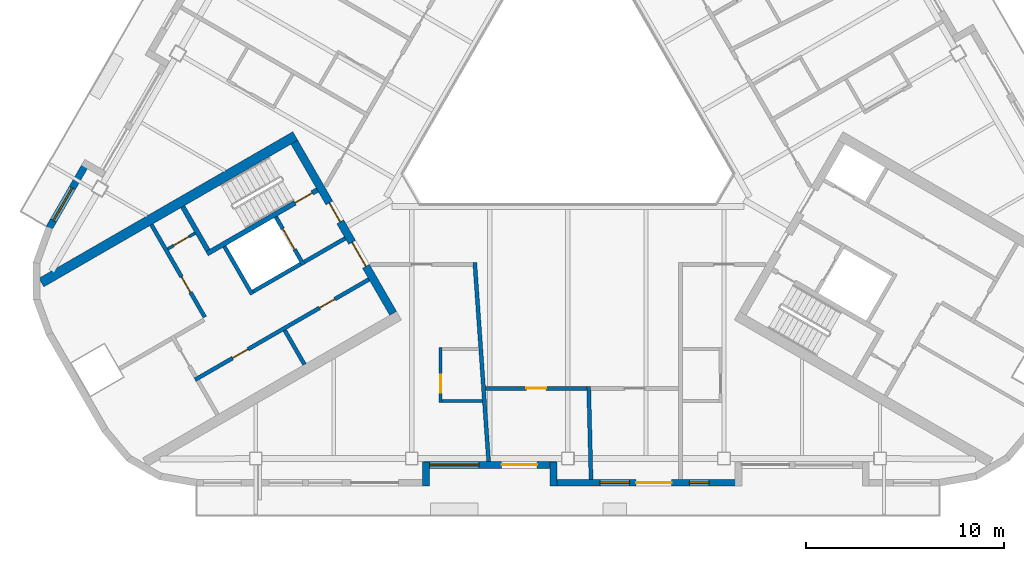
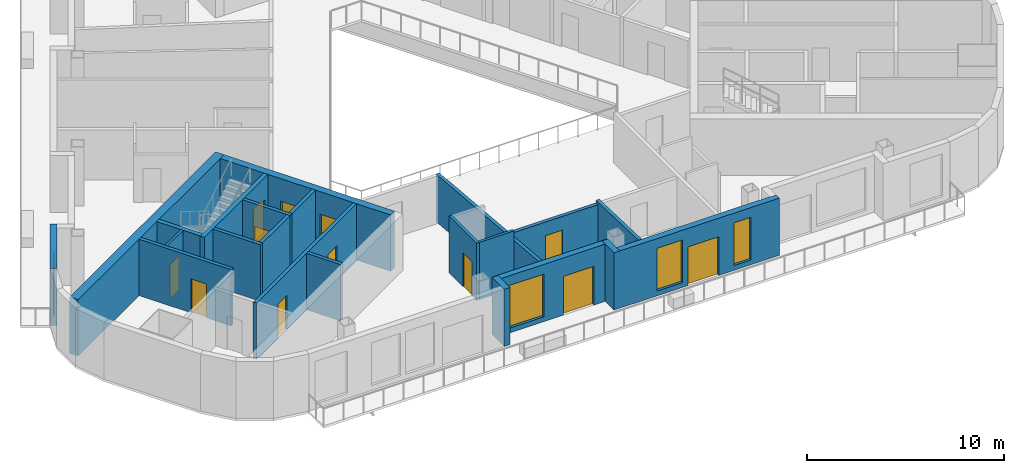
# One storey, part 3 of 14: 22 walls, 12 doors, 4 windows, 16 openings.
"""IFC4 building model written with IfcOpenShell, lengths in metres."""

from ifc_helpers import new_model, si_unit, direction, frame, frame_2d, origin, place, context, subcontext, project, spatial, rectangle, extrude, material, layer, layer_set, type_object, element, fill, save


model = new_model("IFC4")

# Units and contexts
model_context = context("Model", 3, precision=1e-05, world=origin(), true_north=direction((0.0, 1.0)))
body_context = subcontext(model_context, "Body", "Model", "MODEL_VIEW")
ifc_project = project(units=[si_unit("LENGTHUNIT", "METRE"), si_unit("AREAUNIT", "SQUARE_METRE"), si_unit("VOLUMEUNIT", "CUBIC_METRE"), si_unit("PLANEANGLEUNIT", "RADIAN"), si_unit("MASSUNIT", "GRAM", prefix="KILO")], contexts=[model_context])

# Site, building, storey
site_placement = place(None, origin())
site = spatial("IfcSite", under=ifc_project, at=site_placement, CompositionType="ELEMENT")
building_placement = place(site_placement, origin())
building = spatial("IfcBuilding", under=site, at=building_placement, Name="Apuvela Tower Hotel", CompositionType="ELEMENT")
storey_placement = place(building_placement, frame((0.0, 0.0, 250.39990234375)))
storey = spatial("IfcBuildingStorey", under=building, at=storey_placement, Name="L61", CompositionType="ELEMENT", Elevation=250.39990234375)

# Wall, openings, doors
ifc_material_1 = material(Name="Concrete C50/60", Category="concrete")
ifc_layer_1 = layer(ifc_material_1, 0.39990234375)
ifc_layer_set_1 = layer_set([ifc_layer_1], Name="COR-WALL-CORE-400")
wall_type_1 = type_object("IfcWallType", Name="COR-WALL-CORE-400", PredefinedType="SHEAR", material=ifc_layer_set_1)
wall_1_placement = place(storey_placement, frame((-13.844970703125, -2.219970703125, 0.0), z_axis=(0.0, 0.0, 1.0), x_axis=(0.500004234368, -0.866022959057, 0.0)))
wall_1 = element("IfcWall", 1, at=wall_1_placement, inside=storey, type_object=wall_type_1, Name="Core wall SW", PredefinedType="SHEAR", context=body_context, shape_type="SweptSolid", body=[
    extrude(rectangle(XDim=10.0, YDim=0.39990234375, at=frame_2d((5.0, 0.0))), origin(), (0.0, 0.0, 1.0), 3.5),
])
opening_1_placement = place(wall_1_placement, frame((3.550048828125, 0.0, 0.0)))
opening_1 = element("IfcOpeningElement", 2, at=opening_1_placement, cuts=wall_1, Name="Opening W-FD", PredefinedType="OPENING", context=body_context, shape_type="SweptSolid", body=[
    extrude(rectangle(XDim=1.10009765625, YDim=2.10009765625, at=frame_2d((0.550048828125, 1.050048828125))), frame((0.0, 0.2099609375, 0.0), z_axis=(0.0, -1.0, 0.0), x_axis=(1.0, 0.0, 0.0)), (0.0, 0.0, 1.0), 0.419921875),
])
opening_2_placement = place(wall_1_placement, frame((5.85009765625, 0.0, 0.0)))
opening_2 = element("IfcOpeningElement", 3, at=opening_2_placement, cuts=wall_1, Name="Opening W-GD", PredefinedType="OPENING", context=body_context, shape_type="SweptSolid", body=[
    extrude(rectangle(XDim=1.39990234375, YDim=2.10009765625, at=frame_2d((0.699951171875, 1.050048828125))), frame((0.0, 0.2099609375, 0.0), z_axis=(0.0, -1.0, 0.0), x_axis=(1.0, 0.0, 0.0)), (0.0, 0.0, 1.0), 0.419921875),
])
ifc_material_2 = material(Name="Steel fire door, powder coated", Category="steel")
door_type_1 = type_object("IfcDoorType", Name="COR-FD-1100", OperationType="NOTDEFINED", PredefinedType="DOOR", material=ifc_material_2)
door_1_placement = place(opening_1_placement, frame((1.10009765625, 0.0, 0.0), z_axis=(0.0, 0.0, 1.0), x_axis=(-1.0, 0.0, 0.0)))
door_1 = element("IfcDoor", 4, at=door_1_placement, inside=storey, type_object=door_type_1, Name="Firefighting lobby door W-FD", OperationType="SINGLE_SWING_LEFT", OverallHeight=2.10009765625, OverallWidth=1.10009765625, PredefinedType="DOOR", context=body_context, shape_type="SweptSolid", body=[
    extrude(rectangle(XDim=1.10009765625, YDim=2.10009765625, at=frame_2d((0.550048828125, 1.050048828125))), frame((0.0, 0.02490234375, 0.0), z_axis=(0.0, -1.0, 0.0), x_axis=(1.0, 0.0, 0.0)), (0.0, 0.0, 1.0), 0.050048828125),
])
fill(opening_1, door_1)
ifc_material_3 = material(Name="Glazed steel fire door", Category="steel")
door_type_2 = type_object("IfcDoorType", Name="COR-GD-1400", OperationType="DOUBLE_DOOR_SINGLE_SWING", PredefinedType="DOOR", material=ifc_material_3)
door_2_placement = place(opening_2_placement, frame((1.39990234375, 0.0, 0.0), z_axis=(0.0, 0.0, 1.0), x_axis=(-1.0, 0.0, 0.0)))
door_2 = element("IfcDoor", 5, at=door_2_placement, inside=storey, type_object=door_type_2, Name="Lift lobby door W-GD", OperationType="DOUBLE_DOOR_SINGLE_SWING", OverallHeight=2.10009765625, OverallWidth=1.39990234375, PredefinedType="DOOR", context=body_context, shape_type="SweptSolid", body=[
    extrude(rectangle(XDim=1.39990234375, YDim=2.10009765625, at=frame_2d((0.699951171875, 1.050048828125))), frame((0.0, 0.02490234375, 0.0), z_axis=(0.0, -1.0, 0.0), x_axis=(1.0, 0.0, 0.0)), (0.0, 0.0, 1.0), 0.050048828125),
])
fill(opening_2, door_2)

# Wall
ifc_layer_2 = layer(ifc_material_1, 0.5)
ifc_layer_set_2 = layer_set([ifc_layer_2], Name="COR-WALL-CORE-500")
wall_type_2 = type_object("IfcWallType", Name="COR-WALL-CORE-500", PredefinedType="SHEAR", material=ifc_layer_set_2)
wall_2_placement = place(storey_placement, frame((-13.796630859375, -1.9033203125, 0.0), z_axis=(0.0, 0.0, 1.0), x_axis=(-0.866025009528, -0.500000682871, 0.0)))
element("IfcWall", 6, at=wall_2_placement, inside=storey, type_object=wall_type_2, Name="Core wall SW", PredefinedType="SHEAR", context=body_context, shape_type="SweptSolid", body=[
    extrude(rectangle(XDim=14.8369140625, YDim=0.5, at=frame_2d((7.41845703125, 0.0))), origin(), (0.0, 0.0, 1.0), 3.5),
])

# Wall, opening, door
ifc_material_4 = material(Name="Blockwork 150 mm plastered", Category="masonry")
ifc_layer_3 = layer(ifc_material_4, 0.14990234375)
ifc_layer_set_3 = layer_set([ifc_layer_3], Name="COR-WALL-PART-150")
wall_type_3 = type_object("IfcWallType", Name="COR-WALL-PART-150", PredefinedType="PARTITIONING", material=ifc_layer_set_3)
wall_3_placement = place(storey_placement, frame((-18.866455078125, -6.822265625, 0.0), z_axis=(0.0, 0.0, 1.0), x_axis=(-0.866028054938, -0.499995408039, 0.0)))
wall_3 = element("IfcWall", 7, at=wall_3_placement, inside=storey, type_object=wall_type_3, Name="Partition SW", PredefinedType="PARTITIONING", context=body_context, shape_type="SweptSolid", body=[
    extrude(rectangle(XDim=1.60009765625, YDim=0.14990234375, at=frame_2d((0.800048828125, 0.0))), origin(), (0.0, 0.0, 1.0), 3.5),
])
opening_3_placement = place(wall_3_placement, frame((0.35009765625, 0.0, 0.0)))
opening_3 = element("IfcOpeningElement", 8, at=opening_3_placement, cuts=wall_3, Name="Opening W-RD", PredefinedType="OPENING", context=body_context, shape_type="SweptSolid", body=[
    extrude(rectangle(XDim=0.89990234375, YDim=2.10009765625, at=frame_2d((0.449951171875, 1.050048828125))), frame((0.0, 0.0849609375, 0.0), z_axis=(0.0, -1.0, 0.0), x_axis=(1.0, 0.0, 0.0)), (0.0, 0.0, 1.0), 0.169921875),
])
ifc_material_5 = material(Name="Steel access door, powder coated", Category="steel")
door_type_3 = type_object("IfcDoorType", Name="COR-RD-900", OperationType="NOTDEFINED", PredefinedType="DOOR", material=ifc_material_5)
door_3_placement = place(opening_3_placement, frame((0.89990234375, 0.0, 0.0), z_axis=(0.0, 0.0, 1.0), x_axis=(-1.0, 0.0, 0.0)))
door_3 = element("IfcDoor", 9, at=door_3_placement, inside=storey, type_object=door_type_3, Name="Riser door W-RD", OperationType="SINGLE_SWING_RIGHT", OverallHeight=2.10009765625, OverallWidth=0.89990234375, PredefinedType="DOOR", context=body_context, shape_type="SweptSolid", body=[
    extrude(rectangle(XDim=0.89990234375, YDim=2.10009765625, at=frame_2d((0.449951171875, 1.050048828125))), frame((0.0, 0.02490234375, 0.0), z_axis=(0.0, -1.0, 0.0), x_axis=(1.0, 0.0, 0.0)), (0.0, 0.0, 1.0), 0.050048828125),
])
fill(opening_3, door_3)

ifc_material_6 = material(Name="Blockwork 200 mm plastered", Category="masonry")
ifc_layer_4 = layer(ifc_material_6, 0.199951171875)
ifc_layer_set_4 = layer_set([ifc_layer_4], Name="COR-WALL-PART-200")
wall_type_4 = type_object("IfcWallType", Name="COR-WALL-PART-200", PredefinedType="PARTITIONING", material=ifc_layer_set_4)
wall_4_placement = place(storey_placement, frame((-21.076171875, -6.39501953125, 0.0), z_axis=(0.0, 0.0, 1.0), x_axis=(0.50001468107, -0.866016927499, 0.0)))
wall_4 = element("IfcWall", 10, at=wall_4_placement, inside=storey, type_object=wall_type_4, Name="Partition SW", PredefinedType="PARTITIONING", context=body_context, shape_type="SweptSolid", body=[
    extrude(rectangle(XDim=5.399658203125, YDim=0.199951171875, at=frame_2d((2.69970703125, 0.0))), origin(), (0.0, 0.0, 1.0), 3.5),
])
opening_4_placement = place(wall_4_placement, frame((3.050048828125, 0.0, 0.0)))
opening_4 = element("IfcOpeningElement", 11, at=opening_4_placement, cuts=wall_4, Name="Opening W-RS1", PredefinedType="OPENING", context=body_context, shape_type="SweptSolid", body=[
    extrude(rectangle(XDim=0.89990234375, YDim=2.10009765625, at=frame_2d((0.449951171875, 1.050048828125))), frame((0.0, 0.10986328125, 0.0), z_axis=(0.0, -1.0, 0.0), x_axis=(1.0, 0.0, 0.0)), (0.0, 0.0, 1.0), 0.219970703125),
])
door_type_4 = type_object("IfcDoorType", Name="COR-DR-900", OperationType="NOTDEFINED", PredefinedType="DOOR", material=ifc_material_2)
door_4_placement = place(opening_4_placement, frame((0.89990234375, 0.0, 0.0), z_axis=(0.0, 0.0, 1.0), x_axis=(-1.0, 0.0, 0.0)))
door_4 = element("IfcDoor", 12, at=door_4_placement, inside=storey, type_object=door_type_4, Name="Store door W-RS1", OperationType="SINGLE_SWING_LEFT", OverallHeight=2.10009765625, OverallWidth=0.89990234375, PredefinedType="DOOR", context=body_context, shape_type="SweptSolid", body=[
    extrude(rectangle(XDim=0.89990234375, YDim=2.10009765625, at=frame_2d((0.449951171875, 1.050048828125))), frame((0.0, 0.02490234375, 0.0), z_axis=(0.0, -1.0, 0.0), x_axis=(1.0, 0.0, 0.0)), (0.0, 0.0, 1.0), 0.050048828125),
])
fill(opening_4, door_4)

# Wall
ifc_layer_5 = layer(ifc_material_1, 0.199951171875)
ifc_layer_set_5 = layer_set([ifc_layer_5], Name="COR-WALL-SHAFT-200")
wall_type_5 = type_object("IfcWallType", Name="COR-WALL-SHAFT-200", PredefinedType="SHEAR", material=ifc_layer_set_5)
wall_5_placement = place(storey_placement, frame((-17.38134765625, -7.49462890625, 0.0), z_axis=(0.0, 0.0, 1.0), x_axis=(0.500011755427, -0.866018616679, 0.0)))
element("IfcWall", 13, at=wall_5_placement, inside=storey, type_object=wall_type_5, Name="Shaft wall SW", PredefinedType="SHEAR", context=body_context, shape_type="SweptSolid", body=[
    extrude(rectangle(XDim=2.80029296875, YDim=0.199951171875, at=frame_2d((1.400146484375, 0.0))), origin(), (0.0, 0.0, 1.0), 3.5),
])

# Wall, opening, door
wall_6_placement = place(storey_placement, frame((-14.783203125, -5.99462890625, 0.0), z_axis=(0.0, 0.0, 1.0), x_axis=(0.49994636267, -0.866056369097, 0.0)))
wall_6 = element("IfcWall", 14, at=wall_6_placement, inside=storey, type_object=wall_type_5, Name="Shaft wall SW", PredefinedType="SHEAR", context=body_context, shape_type="SweptSolid", body=[
    extrude(rectangle(XDim=2.800048828125, YDim=0.199951171875, at=frame_2d((1.39990234375, 0.0))), origin(), (0.0, 0.0, 1.0), 3.5),
])
opening_5_placement = place(wall_6_placement, frame((0.699951171875, 0.0, 0.0)))
opening_5 = element("IfcOpeningElement", 15, at=opening_5_placement, cuts=wall_6, Name="Opening W-LD-FS2", PredefinedType="OPENING", context=body_context, shape_type="SweptSolid", body=[
    extrude(rectangle(XDim=1.199951171875, YDim=2.10009765625, at=frame_2d((0.60009765625, 1.050048828125))), frame((0.0, 0.10986328125, 0.0), z_axis=(0.0, -1.0, 0.0), x_axis=(1.0, 0.0, 0.0)), (0.0, 0.0, 1.0), 0.219970703125),
])
ifc_material_7 = material(Name="Stainless steel lift landing door", Category="steel")
door_type_5 = type_object("IfcDoorType", Name="COR-LD-1200", OperationType="DOUBLE_DOOR_SLIDING", PredefinedType="DOOR", material=ifc_material_7)
door_5_placement = place(opening_5_placement, origin())
door_5 = element("IfcDoor", 16, at=door_5_placement, inside=storey, type_object=door_type_5, Name="Lift landing door W-LD-FS2", OperationType="DOUBLE_DOOR_SLIDING", OverallHeight=2.10009765625, OverallWidth=1.199951171875, PredefinedType="DOOR", context=body_context, shape_type="SweptSolid", body=[
    extrude(rectangle(XDim=1.199951171875, YDim=2.10009765625, at=frame_2d((0.60009765625, 1.050048828125))), frame((0.0, 0.02490234375, 0.0), z_axis=(0.0, -1.0, 0.0), x_axis=(1.0, 0.0, 0.0)), (0.0, 0.0, 1.0), 0.050048828125),
])
fill(opening_5, door_5)

# Walls
wall_7_placement = place(storey_placement, frame((-13.519775390625, -8.383056640625, 0.0), z_axis=(0.0, 0.0, 1.0), x_axis=(-0.866034573852, -0.49998411664, 0.0)))
element("IfcWall", 17, at=wall_7_placement, inside=storey, type_object=wall_type_5, Name="Shaft wall SW", PredefinedType="SHEAR", context=body_context, shape_type="SweptSolid", body=[
    extrude(rectangle(XDim=2.7998046875, YDim=0.199951171875, at=frame_2d((1.39990234375, 0.0))), origin(), (0.0, 0.0, 1.0), 3.5),
])
wall_8_placement = place(storey_placement, frame((-11.26806640625, -7.0830078125, 0.0), z_axis=(0.0, 0.0, 1.0), x_axis=(-0.866050077142, -0.499957262057, 0.0)))
element("IfcWall", 18, at=wall_8_placement, inside=storey, type_object=wall_type_5, Name="Shaft wall SW", PredefinedType="SHEAR", context=body_context, shape_type="SweptSolid", body=[
    extrude(rectangle(XDim=2.400146484375, YDim=0.199951171875, at=frame_2d((1.2001953125, 0.0))), origin(), (0.0, 0.0, 1.0), 3.5),
])

# Wall, openings, doors
wall_9_placement = place(storey_placement, frame((-10.068115234375, -9.16162109375, 0.0), z_axis=(0.0, 0.0, 1.0), x_axis=(-0.866032725843, -0.499987317609, 0.0)))
wall_9 = element("IfcWall", 19, at=wall_9_placement, inside=storey, type_object=wall_type_5, Name="Shaft wall SW", PredefinedType="SHEAR", context=body_context, shape_type="SweptSolid", body=[
    extrude(rectangle(XDim=10.159912109375, YDim=0.199951171875, at=frame_2d((5.080078125, 0.0))), origin(), (0.0, 0.0, 1.0), 3.5),
])
opening_6_placement = place(wall_9_placement, frame((1.989990234375, 0.0, 0.0)))
opening_6 = element("IfcOpeningElement", 20, at=opening_6_placement, cuts=wall_9, Name="Opening W-RE1", PredefinedType="OPENING", context=body_context, shape_type="SweptSolid", body=[
    extrude(rectangle(XDim=0.89990234375, YDim=2.10009765625, at=frame_2d((0.449951171875, 1.050048828125))), frame((0.0, 0.10986328125, 0.0), z_axis=(0.0, -1.0, 0.0), x_axis=(1.0, 0.0, 0.0)), (0.0, 0.0, 1.0), 0.219970703125),
])
opening_7_placement = place(wall_9_placement, frame((7.070068359375, 0.0, 0.0)))
opening_7 = element("IfcOpeningElement", 21, at=opening_7_placement, cuts=wall_9, Name="Opening W-RE3", PredefinedType="OPENING", context=body_context, shape_type="SweptSolid", body=[
    extrude(rectangle(XDim=0.89990234375, YDim=2.10009765625, at=frame_2d((0.449951171875, 1.050048828125))), frame((0.0, 0.10986328125, 0.0), z_axis=(0.0, -1.0, 0.0), x_axis=(1.0, 0.0, 0.0)), (0.0, 0.0, 1.0), 0.219970703125),
])
door_6_placement = place(opening_6_placement, origin())
door_6 = element("IfcDoor", 22, at=door_6_placement, inside=storey, type_object=door_type_4, Name="Store door W-RE1", OperationType="SINGLE_SWING_LEFT", OverallHeight=2.10009765625, OverallWidth=0.89990234375, PredefinedType="DOOR", context=body_context, shape_type="SweptSolid", body=[
    extrude(rectangle(XDim=0.89990234375, YDim=2.10009765625, at=frame_2d((0.449951171875, 1.050048828125))), frame((0.0, 0.02490234375, 0.0), z_axis=(0.0, -1.0, 0.0), x_axis=(1.0, 0.0, 0.0)), (0.0, 0.0, 1.0), 0.050048828125),
])
fill(opening_6, door_6)
door_7_placement = place(opening_7_placement, origin())
door_7 = element("IfcDoor", 23, at=door_7_placement, inside=storey, type_object=door_type_4, Name="Store door W-RE3", OperationType="SINGLE_SWING_LEFT", OverallHeight=2.10009765625, OverallWidth=0.89990234375, PredefinedType="DOOR", context=body_context, shape_type="SweptSolid", body=[
    extrude(rectangle(XDim=0.89990234375, YDim=2.10009765625, at=frame_2d((0.449951171875, 1.050048828125))), frame((0.0, 0.02490234375, 0.0), z_axis=(0.0, -1.0, 0.0), x_axis=(1.0, 0.0, 0.0)), (0.0, 0.0, 1.0), 0.050048828125),
])
fill(opening_7, door_7)

# Wall
wall_10_placement = place(storey_placement, frame((-14.330810546875, -11.738037109375, 0.0), z_axis=(0.0, 0.0, 1.0), x_axis=(0.499972520799, -0.866041268327, 0.0)))
element("IfcWall", 24, at=wall_10_placement, inside=storey, type_object=wall_type_5, Name="Shaft wall SW", PredefinedType="SHEAR", context=body_context, shape_type="SweptSolid", body=[
    extrude(rectangle(XDim=2.0, YDim=0.199951171875, at=frame_2d((1.0, 0.0))), origin(), (0.0, 0.0, 1.0), 3.5),
])

# Wall, opening, door
ifc_layer_6 = layer(ifc_material_1, 0.25)
ifc_layer_set_6 = layer_set([ifc_layer_6], Name="COR-WALL-STAIR-250")
wall_type_6 = type_object("IfcWallType", Name="COR-WALL-STAIR-250", PredefinedType="SHEAR", material=ifc_layer_set_6)
wall_11_placement = place(storey_placement, frame((-12.6806640625, -4.636474609375, 0.0), z_axis=(0.0, 0.0, 1.0), x_axis=(-0.866021702275, -0.500006411147, 0.0)))
wall_11 = element("IfcWall", 25, at=wall_11_placement, inside=storey, type_object=wall_type_6, Name="Stair wall SW", PredefinedType="SHEAR", context=body_context, shape_type="SweptSolid", body=[
    extrude(rectangle(XDim=6.4501953125, YDim=0.25, at=frame_2d((3.22509765625, 0.0))), origin(), (0.0, 0.0, 1.0), 3.5),
])
opening_8_placement = place(wall_11_placement, frame((0.300048828125, 0.0, 0.0)))
opening_8 = element("IfcOpeningElement", 26, at=opening_8_placement, cuts=wall_11, Name="Opening W-SD", PredefinedType="OPENING", context=body_context, shape_type="SweptSolid", body=[
    extrude(rectangle(XDim=1.0, YDim=2.10009765625, at=frame_2d((0.5, 1.050048828125))), frame((0.0, 0.135009765625, 0.0), z_axis=(0.0, -1.0, 0.0), x_axis=(1.0, 0.0, 0.0)), (0.0, 0.0, 1.0), 0.27001953125),
])
door_type_6 = type_object("IfcDoorType", Name="COR-SD-1000", OperationType="NOTDEFINED", PredefinedType="DOOR", material=ifc_material_2)
door_8_placement = place(opening_8_placement, frame((1.0, 0.0, 0.0), z_axis=(0.0, 0.0, 1.0), x_axis=(-1.0, 0.0, 0.0)))
door_8 = element("IfcDoor", 27, at=door_8_placement, inside=storey, type_object=door_type_6, Name="Stair door W-SD", OperationType="SINGLE_SWING_LEFT", OverallHeight=2.10009765625, OverallWidth=1.0, PredefinedType="DOOR", context=body_context, shape_type="SweptSolid", body=[
    extrude(rectangle(XDim=1.0, YDim=2.10009765625, at=frame_2d((0.5, 1.050048828125))), frame((0.0, 0.02490234375, 0.0), z_axis=(0.0, -1.0, 0.0), x_axis=(1.0, 0.0, 0.0)), (0.0, 0.0, 1.0), 0.050048828125),
])
fill(opening_8, door_8)

# Wall
wall_12_placement = place(storey_placement, frame((-19.49560546875, -5.482421875, 0.0), z_axis=(0.0, 0.0, 1.0), x_axis=(0.499990435942, -0.866030925526, 0.0)))
element("IfcWall", 28, at=wall_12_placement, inside=storey, type_object=wall_type_6, Name="Stair wall SW", PredefinedType="SHEAR", context=body_context, shape_type="SweptSolid", body=[
    extrude(rectangle(XDim=2.5498046875, YDim=0.25, at=frame_2d((1.27490234375, 0.0))), origin(), (0.0, 0.0, 1.0), 3.5),
])

# Wall, opening, window
ifc_material_8 = material(Name="Concrete C40/50, dark pigmented precast panel", Category="concrete")
ifc_layer_7 = layer(ifc_material_8, 0.35009765625)
ifc_layer_set_7 = layer_set([ifc_layer_7], Name="ENV-WALL-350")
wall_type_7 = type_object("IfcWallType", Name="ENV-WALL-350", PredefinedType="SOLIDWALL", material=ifc_layer_set_7)
wall_13_placement = place(storey_placement, frame((-24.298583984375, -3.17626953125, 0.0), z_axis=(0.0, 0.0, 1.0), x_axis=(-0.500028278809, -0.866009076391, 0.0)))
wall_13 = element("IfcWall", 29, at=wall_13_placement, inside=storey, type_object=wall_type_7, Name="External wall L61-09", PredefinedType="SOLIDWALL", context=body_context, shape_type="SweptSolid", body=[
    extrude(rectangle(XDim=3.915771484375, YDim=0.35009765625, at=frame_2d((1.9580078125, 0.0))), origin(), (0.0, 0.0, 1.0), 3.550048828125),
])
opening_9_placement = place(wall_13_placement, frame((1.574951171875, 0.0, 0.300048828125)))
opening_9 = element("IfcOpeningElement", 30, at=opening_9_placement, cuts=wall_13, Name="Opening WN19", PredefinedType="OPENING", context=body_context, shape_type="SweptSolid", body=[
    extrude(rectangle(XDim=1.89990234375, YDim=2.64990234375, at=frame_2d((0.949951171875, 1.324951171875))), frame((0.0, 0.18505859375, 0.0), z_axis=(0.0, -1.0, 0.0), x_axis=(1.0, 0.0, 0.0)), (0.0, 0.0, 1.0), 0.3701171875),
])
ifc_material_9 = material(Name="Glass, dark tinted laminated insulated glazing unit", Category="glass")
window_type_1 = type_object("IfcWindowType", Name="ENV-WIN-1900x2650", PartitioningType="SINGLE_PANEL", PredefinedType="WINDOW", material=ifc_material_9)
window_1_placement = place(opening_9_placement, origin())
window_1 = element("IfcWindow", 31, at=window_1_placement, inside=storey, type_object=window_type_1, Name="Window WN19", OverallHeight=2.64990234375, OverallWidth=1.89990234375, PartitioningType="SINGLE_PANEL", PredefinedType="WINDOW", context=body_context, shape_type="SweptSolid", body=[
    extrude(rectangle(XDim=1.89990234375, YDim=2.64990234375, at=frame_2d((0.949951171875, 1.324951171875))), frame((0.0, 0.030029296875, 0.0), z_axis=(0.0, -1.0, 0.0), x_axis=(1.0, 0.0, 0.0)), (0.0, 0.0, 1.0), 0.06005859375),
])
fill(opening_9, window_1)

# Wall
wall_14_placement = place(storey_placement, frame((-7.175048828125, -19.6298828125, 0.0), z_axis=(0.0, 0.0, 1.0), x_axis=(0.0, 1.0, 0.0)))
element("IfcWall", 32, at=wall_14_placement, inside=storey, type_object=wall_type_7, Name="External wall L61-18", PredefinedType="SOLIDWALL", context=body_context, shape_type="SweptSolid", body=[
    extrude(rectangle(XDim=1.219970703125, YDim=0.35009765625, at=frame_2d((0.60986328125, 0.0))), origin(), (0.0, 0.0, 1.0), 3.550048828125),
])

# Wall, openings, door, window
wall_15_placement = place(storey_placement, frame((-7.320068359375, -18.554931640625, 0.0), z_axis=(0.0, 0.0, 1.0), x_axis=(1.0, 0.0, 0.0)))
wall_15 = element("IfcWall", 33, at=wall_15_placement, inside=storey, type_object=wall_type_7, Name="External wall L61-19", PredefinedType="SOLIDWALL", context=body_context, shape_type="SweptSolid", body=[
    extrude(rectangle(XDim=6.739990234375, YDim=0.35009765625, at=frame_2d((3.3701171875, 0.0))), origin(), (0.0, 0.0, 1.0), 3.550048828125),
])
opening_10_placement = place(wall_15_placement, frame((0.3203125, 0.0, 0.300048828125)))
opening_10 = element("IfcOpeningElement", 34, at=opening_10_placement, cuts=wall_15, Name="Opening WN25", PredefinedType="OPENING", context=body_context, shape_type="SweptSolid", body=[
    extrude(rectangle(XDim=2.5, YDim=2.64990234375, at=frame_2d((1.25, 1.324951171875))), frame((0.0, 0.18505859375, 0.0), z_axis=(0.0, -1.0, 0.0), x_axis=(1.0, 0.0, 0.0)), (0.0, 0.0, 1.0), 0.3701171875),
])
opening_11_placement = place(wall_15_placement, frame((3.96337890625, 0.0, 0.0)))
opening_11 = element("IfcOpeningElement", 35, at=opening_11_placement, cuts=wall_15, Name="Opening BD18", PredefinedType="OPENING", context=body_context, shape_type="SweptSolid", body=[
    extrude(rectangle(XDim=1.800048828125, YDim=2.39990234375, at=frame_2d((0.89990234375, 1.199951171875))), frame((0.0, 0.18505859375, 0.0), z_axis=(0.0, -1.0, 0.0), x_axis=(1.0, 0.0, 0.0)), (0.0, 0.0, 1.0), 0.3701171875),
])
ifc_material_10 = material(Name="Aluminium 6063-T6, dark bronze anodised frame with dark tinted laminated glass", Category="aluminium")
door_type_7 = type_object("IfcDoorType", Name="ENV-DOOR-BALCONY-1800x2400", OperationType="SLIDING_TO_LEFT", PredefinedType="DOOR", material=ifc_material_10)
door_9_placement = place(opening_11_placement, frame((1.800048828125, 0.0, 0.0), z_axis=(0.0, 0.0, 1.0), x_axis=(-1.0, 0.0, 0.0)))
door_9 = element("IfcDoor", 36, at=door_9_placement, inside=storey, type_object=door_type_7, Name="Balcony door BD18", OperationType="SLIDING_TO_LEFT", OverallHeight=2.39990234375, OverallWidth=1.800048828125, PredefinedType="DOOR", context=body_context, shape_type="SweptSolid", body=[
    extrude(rectangle(XDim=1.800048828125, YDim=2.39990234375, at=frame_2d((0.89990234375, 1.199951171875))), frame((0.0, 0.02490234375, 0.0), z_axis=(0.0, -1.0, 0.0), x_axis=(1.0, 0.0, 0.0)), (0.0, 0.0, 1.0), 0.050048828125),
])
fill(opening_11, door_9)
window_type_2 = type_object("IfcWindowType", Name="ENV-WIN-2500x2650", PartitioningType="SINGLE_PANEL", PredefinedType="WINDOW", material=ifc_material_9)
window_2_placement = place(opening_10_placement, origin())
window_2 = element("IfcWindow", 37, at=window_2_placement, inside=storey, type_object=window_type_2, Name="Window WN25", OverallHeight=2.64990234375, OverallWidth=2.5, PartitioningType="SINGLE_PANEL", PredefinedType="WINDOW", context=body_context, shape_type="SweptSolid", body=[
    extrude(rectangle(XDim=2.5, YDim=2.64990234375, at=frame_2d((1.25, 1.324951171875))), frame((0.0, 0.030029296875, 0.0), z_axis=(0.0, -1.0, 0.0), x_axis=(1.0, 0.0, 0.0)), (0.0, 0.0, 1.0), 0.06005859375),
])
fill(opening_10, window_2)

# Wall
wall_16_placement = place(storey_placement, frame((-0.72509765625, -18.409912109375, 0.0), z_axis=(0.0, 0.0, 1.0), x_axis=(0.0, -1.0, 0.0)))
element("IfcWall", 38, at=wall_16_placement, inside=storey, type_object=wall_type_7, Name="External wall L61-20", PredefinedType="SOLIDWALL", context=body_context, shape_type="SweptSolid", body=[
    extrude(rectangle(XDim=1.219970703125, YDim=0.35009765625, at=frame_2d((0.60986328125, 0.0))), origin(), (0.0, 0.0, 1.0), 3.550048828125),
])

# Wall, openings, door, windows
wall_17_placement = place(storey_placement, frame((-0.89990234375, -19.455078125, 0.0), z_axis=(0.0, 0.0, 1.0), x_axis=(1.0, 0.0, 0.0)))
wall_17 = element("IfcWall", 39, at=wall_17_placement, inside=storey, type_object=wall_type_7, Name="External wall L61-21", PredefinedType="SOLIDWALL", context=body_context, shape_type="SweptSolid", body=[
    extrude(rectangle(XDim=9.699951171875, YDim=0.35009765625, at=frame_2d((4.85009765625, 0.0))), origin(), (0.0, 0.0, 1.0), 3.550048828125),
])
opening_12_placement = place(wall_17_placement, frame((4.349609375, 0.0, 0.0)))
opening_12 = element("IfcOpeningElement", 40, at=opening_12_placement, cuts=wall_17, Name="Opening BD18", PredefinedType="OPENING", context=body_context, shape_type="SweptSolid", body=[
    extrude(rectangle(XDim=1.800048828125, YDim=2.39990234375, at=frame_2d((0.89990234375, 1.199951171875))), frame((0.0, 0.18505859375, 0.0), z_axis=(0.0, -1.0, 0.0), x_axis=(1.0, 0.0, 0.0)), (0.0, 0.0, 1.0), 0.3701171875),
])
opening_13_placement = place(wall_17_placement, frame((2.51953125, 0.0, 0.300048828125)))
opening_13 = element("IfcOpeningElement", 41, at=opening_13_placement, cuts=wall_17, Name="Opening WN15", PredefinedType="OPENING", context=body_context, shape_type="SweptSolid", body=[
    extrude(rectangle(XDim=1.5, YDim=2.64990234375, at=frame_2d((0.75, 1.324951171875))), frame((0.0, 0.18505859375, 0.0), z_axis=(0.0, -1.0, 0.0), x_axis=(1.0, 0.0, 0.0)), (0.0, 0.0, 1.0), 0.3701171875),
])
opening_14_placement = place(wall_17_placement, frame((7.0498046875, 0.0, 0.300048828125)))
opening_14 = element("IfcOpeningElement", 42, at=opening_14_placement, cuts=wall_17, Name="Opening WN10", PredefinedType="OPENING", context=body_context, shape_type="SweptSolid", body=[
    extrude(rectangle(XDim=1.0, YDim=2.64990234375, at=frame_2d((0.5, 1.324951171875))), frame((0.0, 0.18505859375, 0.0), z_axis=(0.0, -1.0, 0.0), x_axis=(1.0, 0.0, 0.0)), (0.0, 0.0, 1.0), 0.3701171875),
])
door_10_placement = place(opening_12_placement, frame((1.800048828125, 0.0, 0.0), z_axis=(0.0, 0.0, 1.0), x_axis=(-1.0, 0.0, 0.0)))
door_10 = element("IfcDoor", 43, at=door_10_placement, inside=storey, type_object=door_type_7, Name="Balcony door BD18", OperationType="SLIDING_TO_LEFT", OverallHeight=2.39990234375, OverallWidth=1.800048828125, PredefinedType="DOOR", context=body_context, shape_type="SweptSolid", body=[
    extrude(rectangle(XDim=1.800048828125, YDim=2.39990234375, at=frame_2d((0.89990234375, 1.199951171875))), frame((0.0, 0.02490234375, 0.0), z_axis=(0.0, -1.0, 0.0), x_axis=(1.0, 0.0, 0.0)), (0.0, 0.0, 1.0), 0.050048828125),
])
fill(opening_12, door_10)
window_type_3 = type_object("IfcWindowType", Name="ENV-WIN-1000x2650", PartitioningType="SINGLE_PANEL", PredefinedType="WINDOW", material=ifc_material_9)
window_3_placement = place(opening_14_placement, origin())
window_3 = element("IfcWindow", 44, at=window_3_placement, inside=storey, type_object=window_type_3, Name="Window WN10", OverallHeight=2.64990234375, OverallWidth=1.0, PartitioningType="SINGLE_PANEL", PredefinedType="WINDOW", context=body_context, shape_type="SweptSolid", body=[
    extrude(rectangle(XDim=1.0, YDim=2.64990234375, at=frame_2d((0.5, 1.324951171875))), frame((0.0, 0.030029296875, 0.0), z_axis=(0.0, -1.0, 0.0), x_axis=(1.0, 0.0, 0.0)), (0.0, 0.0, 1.0), 0.06005859375),
])
fill(opening_14, window_3)
window_type_4 = type_object("IfcWindowType", Name="ENV-WIN-1500x2650", PartitioningType="SINGLE_PANEL", PredefinedType="WINDOW", material=ifc_material_9)
window_4_placement = place(opening_13_placement, origin())
window_4 = element("IfcWindow", 45, at=window_4_placement, inside=storey, type_object=window_type_4, Name="Window WN15", OverallHeight=2.64990234375, OverallWidth=1.5, PartitioningType="SINGLE_PANEL", PredefinedType="WINDOW", context=body_context, shape_type="SweptSolid", body=[
    extrude(rectangle(XDim=1.5, YDim=2.64990234375, at=frame_2d((0.75, 1.324951171875))), frame((0.0, 0.030029296875, 0.0), z_axis=(0.0, -1.0, 0.0), x_axis=(1.0, 0.0, 0.0)), (0.0, 0.0, 1.0), 0.06005859375),
])
fill(opening_13, window_4)

# Walls
ifc_material_11 = material(Name="Gypsum board partition on twin steel stud", Category="steel")
ifc_layer_8 = layer(ifc_material_11, 0.199951171875)
ifc_layer_set_8 = layer_set([ifc_layer_8], Name="GST-PW1")
wall_type_8 = type_object("IfcWallType", Name="GST-PW1", PredefinedType="PARTITIONING", material=ifc_layer_set_8)
wall_18_placement = place(storey_placement, frame((-4.0126953125, -18.3798828125, 0.0), z_axis=(0.0, 0.0, 1.0), x_axis=(-0.06939415619, 0.997589319854, 0.0)))
element("IfcWall", 46, at=wall_18_placement, inside=storey, type_object=wall_type_8, Name="L61 partition 01", PredefinedType="PARTITIONING", context=body_context, shape_type="SweptSolid", body=[
    extrude(rectangle(XDim=10.104248046875, YDim=0.199951171875, at=frame_2d((5.05224609375, 0.0))), origin(), (0.0, 0.0, 1.0), 2.9501953125),
])
wall_19_placement = place(storey_placement, frame((1.169921875, -19.280029296875, 0.0), z_axis=(0.0, 0.0, 1.0), x_axis=(-0.025029816209, 0.999686705073, 0.0)))
element("IfcWall", 47, at=wall_19_placement, inside=storey, type_object=wall_type_8, Name="L61 partition 02", PredefinedType="PARTITIONING", context=body_context, shape_type="SweptSolid", body=[
    extrude(rectangle(XDim=4.701416015625, YDim=0.199951171875, at=frame_2d((2.3505859375, 0.0))), origin(), (0.0, 0.0, 1.0), 3.10009765625),
])

# Wall, opening, door
ifc_material_12 = material(Name="Gypsum board corridor wall on twin steel stud, acoustic", Category="steel")
ifc_layer_9 = layer(ifc_material_12, 0.199951171875)
ifc_layer_set_9 = layer_set([ifc_layer_9], Name="GST-PW2")
wall_type_9 = type_object("IfcWallType", Name="GST-PW2", PredefinedType="PARTITIONING", material=ifc_layer_set_9)
wall_20_placement = place(storey_placement, frame((0.954833984375, -14.679931640625, 0.0), z_axis=(0.0, 0.0, 1.0), x_axis=(-1.0, 0.0, 0.0)))
wall_20 = element("IfcWall", 48, at=wall_20_placement, inside=storey, type_object=wall_type_9, Name="L61 partition 15", PredefinedType="PARTITIONING", context=body_context, shape_type="SweptSolid", body=[
    extrude(rectangle(XDim=5.124755859375, YDim=0.199951171875, at=frame_2d((2.5625, 0.0))), origin(), (0.0, 0.0, 1.0), 2.9501953125),
])
opening_15_placement = place(wall_20_placement, frame((2.062255859375, 0.0, 0.0)))
opening_15 = element("IfcOpeningElement", 49, at=opening_15_placement, cuts=wall_20, Name="Opening GD23-03", PredefinedType="OPENING", context=body_context, shape_type="SweptSolid", body=[
    extrude(rectangle(XDim=1.0, YDim=2.10009765625, at=frame_2d((0.5, 1.050048828125))), frame((0.0, 0.10986328125, 0.0), z_axis=(0.0, -1.0, 0.0), x_axis=(1.0, 0.0, 0.0)), (0.0, 0.0, 1.0), 0.219970703125),
])
ifc_material_13 = material(Name="Timber door leaf in steel frame", Category="steel")
door_type_8 = type_object("IfcDoorType", Name="GST-D1", OperationType="NOTDEFINED", PredefinedType="DOOR", material=ifc_material_13)
door_11_placement = place(opening_15_placement, origin())
door_11 = element("IfcDoor", 50, at=door_11_placement, inside=storey, type_object=door_type_8, Name="Door L61-03", OperationType="SINGLE_SWING_LEFT", OverallHeight=2.10009765625, OverallWidth=1.0, PredefinedType="DOOR", context=body_context, shape_type="SweptSolid", body=[
    extrude(rectangle(XDim=1.0, YDim=2.10009765625, at=frame_2d((0.5, 1.050048828125))), frame((0.0, 0.02490234375, 0.0), z_axis=(0.0, -1.0, 0.0), x_axis=(1.0, 0.0, 0.0)), (0.0, 0.0, 1.0), 0.050048828125),
])
fill(opening_15, door_11)

ifc_material_14 = material(Name="Moisture-resistant gypsum board wet wall on steel stud", Category="steel")
ifc_layer_10 = layer(ifc_material_14, 0.14990234375)
ifc_layer_set_10 = layer_set([ifc_layer_10], Name="GST-PW3")
wall_type_10 = type_object("IfcWallType", Name="GST-PW3", PredefinedType="PARTITIONING", material=ifc_layer_set_10)
wall_21_placement = place(storey_placement, frame((-6.43994140625, -12.60009765625, 0.0), z_axis=(0.0, 0.0, 1.0), x_axis=(0.0, -1.0, 0.0)))
wall_21 = element("IfcWall", 51, at=wall_21_placement, inside=storey, type_object=wall_type_10, Name="L61 partition 12", PredefinedType="PARTITIONING", context=body_context, shape_type="SweptSolid", body=[
    extrude(rectangle(XDim=2.7998046875, YDim=0.14990234375, at=frame_2d((1.39990234375, 0.0))), origin(), (0.0, 0.0, 1.0), 3.550048828125),
])
opening_16_placement = place(wall_21_placement, frame((1.39990234375, 0.0, 0.0)))
opening_16 = element("IfcOpeningElement", 52, at=opening_16_placement, cuts=wall_21, Name="Opening GD23-01", PredefinedType="OPENING", context=body_context, shape_type="SweptSolid", body=[
    extrude(rectangle(XDim=0.89990234375, YDim=2.10009765625, at=frame_2d((0.449951171875, 1.050048828125))), frame((0.0, 0.0849609375, 0.0), z_axis=(0.0, -1.0, 0.0), x_axis=(1.0, 0.0, 0.0)), (0.0, 0.0, 1.0), 0.169921875),
])
door_type_9 = type_object("IfcDoorType", Name="GST-D2", OperationType="NOTDEFINED", PredefinedType="DOOR", material=ifc_material_13)
door_12_placement = place(opening_16_placement, origin())
door_12 = element("IfcDoor", 53, at=door_12_placement, inside=storey, type_object=door_type_9, Name="Door L61-01", OperationType="SINGLE_SWING_RIGHT", OverallHeight=2.10009765625, OverallWidth=0.89990234375, PredefinedType="DOOR", context=body_context, shape_type="SweptSolid", body=[
    extrude(rectangle(XDim=0.89990234375, YDim=2.10009765625, at=frame_2d((0.449951171875, 1.050048828125))), frame((0.0, 0.02490234375, 0.0), z_axis=(0.0, -1.0, 0.0), x_axis=(1.0, 0.0, 0.0)), (0.0, 0.0, 1.0), 0.050048828125),
])
fill(opening_16, door_12)

# Wall
wall_22_placement = place(storey_placement, frame((-6.364990234375, -15.324951171875, 0.0), z_axis=(0.0, 0.0, 1.0), x_axis=(1.0, 0.0, 0.0)))
element("IfcWall", 54, at=wall_22_placement, inside=storey, type_object=wall_type_10, Name="L61 partition 13", PredefinedType="PARTITIONING", context=body_context, shape_type="SweptSolid", body=[
    extrude(rectangle(XDim=2.03955078125, YDim=0.14990234375, at=frame_2d((1.019775390625, 0.0))), origin(), (0.0, 0.0, 1.0), 3.550048828125),
])

save(model, "model.ifc")
